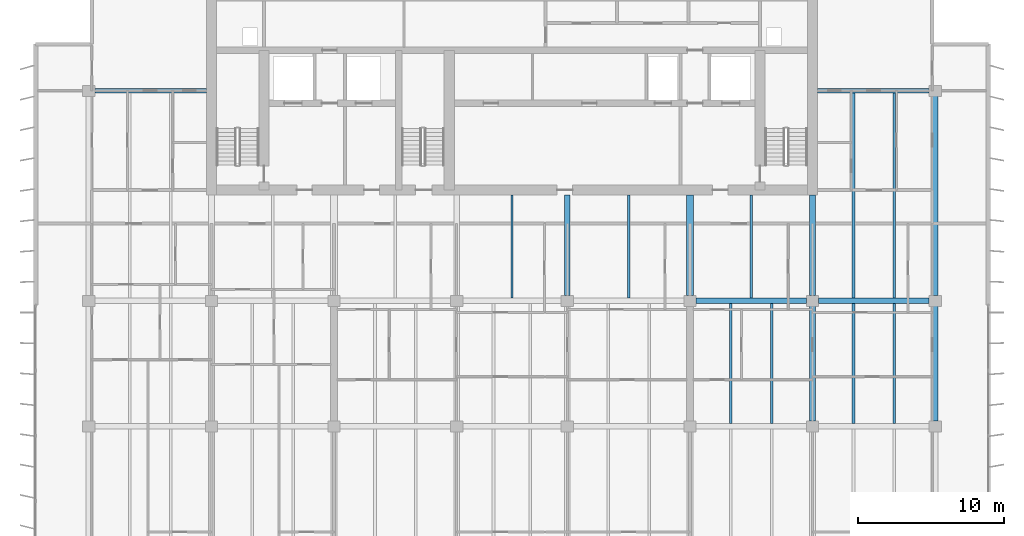
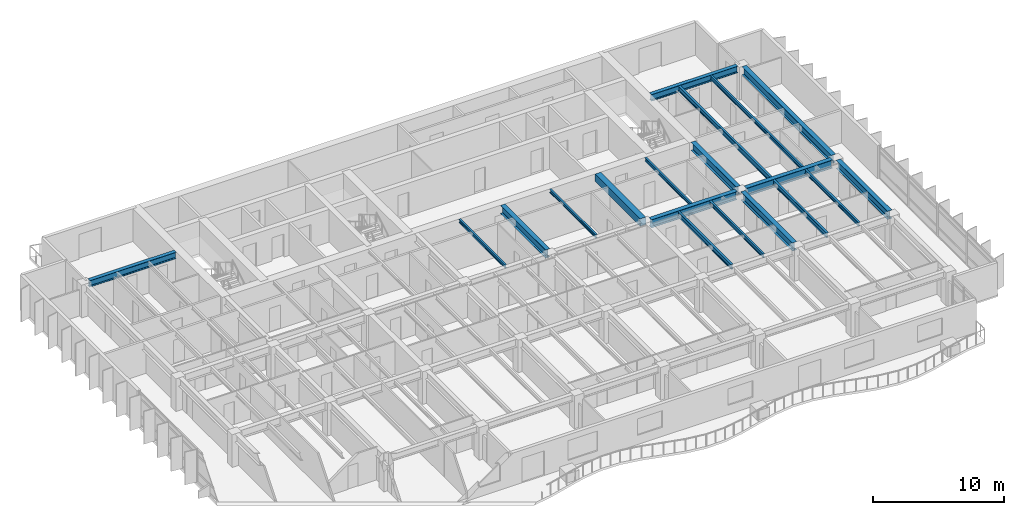
# One storey, part 5 of 17: 19 beams.
"""IFC4 building model written with IfcOpenShell, lengths in metres."""

from ifc_helpers import new_model, si_unit, direction, frame, origin, origin_2d, place, context, subcontext, project, spatial, rectangle, i_section, extrude, material, material_profile, profile_set, type_object, element, save


model = new_model("IFC4")

# Units and contexts
model_context = context("Model", 3, precision=1e-05, world=origin(), true_north=direction((0.0, 1.0)))
body_context = subcontext(model_context, "Body", "Model", "MODEL_VIEW")
ifc_project = project(units=[si_unit("LENGTHUNIT", "METRE"), si_unit("AREAUNIT", "SQUARE_METRE"), si_unit("VOLUMEUNIT", "CUBIC_METRE"), si_unit("PLANEANGLEUNIT", "RADIAN"), si_unit("MASSUNIT", "GRAM", prefix="KILO")], contexts=[model_context])

# Site, building, storey
site_placement = place(None, origin())
site = spatial("IfcSite", under=ifc_project, at=site_placement, CompositionType="ELEMENT")
building_placement = place(site_placement, origin())
building = spatial("IfcBuilding", under=site, at=building_placement, Name="Caelmar Bay Residences", CompositionType="ELEMENT")
storey_placement = place(building_placement, frame((0.0, 0.0, 201.60009765625)))
storey = spatial("IfcBuildingStorey", under=building, at=storey_placement, Name="L56", CompositionType="ELEMENT", Elevation=201.60009765625)

# Beams
ifc_material_1 = material(Name="Steel ASTM A992 Grade 50", Category="steel")
ifc_material_profile_1 = material_profile(ifc_material_1, i_section(OverallWidth=0.381103515625, OverallDepth=0.77197265625, WebThickness=0.0166015625, FlangeThickness=0.027099609375, FilletRadius=0.0166015625, at=origin_2d()), Name="W30X173")
ifc_profile_set_1 = profile_set([ifc_material_profile_1], Name="Steel ASTM A992 Grade 50")
beam_type_1 = type_object("IfcBeamType", Name="BM-GRD-W30X173", PredefinedType="BEAM", material=ifc_profile_set_1)
for number, where, z_axis, x_axis, name in (
    (1, (51.514892578125, 29.39990234375, 2.663818359375), (1.0, 0.0, 0.0), (0.0, 1.0, 0.0), "L56 East-West Girder Y=29.40 (51.1-59.5)"),
    (2, (59.9150390625, 29.39990234375, 2.663818359375), (1.0, 0.0, 0.0), (0.0, 1.0, 0.0), "L56 East-West Girder Y=29.40 (59.5-67.9)"),
):
    element("IfcBeam", number, at=place(storey_placement, frame(where, z_axis=z_axis, x_axis=x_axis)), inside=storey, type_object=beam_type_1, Name=name, PredefinedType="BEAM", context=body_context, shape_type="SweptSolid", body=[
        extrude(i_section(OverallWidth=0.381103515625, OverallDepth=0.77197265625, WebThickness=0.0166015625, FlangeThickness=0.027099609375, FilletRadius=0.0166015625, at=origin_2d()), origin(), (0.0, 0.0, 1.0), 7.570068359375),
    ])
for number, where, z_axis, x_axis, name in (
    (3, (42.699951171875, 29.764892578125, 2.663818359375), (0.0, 1.0, 0.0), (-1.0, 0.0, 0.0), "L56 Core Tie Girder X=42.70"),
    (4, (59.5, 29.764892578125, 2.663818359375), (0.0, 1.0, 0.0), (-1.0, 0.0, 0.0), "L56 Core Tie Girder X=59.50"),
):
    element("IfcBeam", number, at=place(storey_placement, frame(where, z_axis=z_axis, x_axis=x_axis)), inside=storey, type_object=beam_type_1, Name=name, PredefinedType="BEAM", context=body_context, shape_type="SweptSolid", body=[
        extrude(i_section(OverallWidth=0.381103515625, OverallDepth=0.77197265625, WebThickness=0.0166015625, FlangeThickness=0.027099609375, FilletRadius=0.0166015625, at=origin_2d()), origin(), (0.0, 0.0, 1.0), 6.885009765625),
    ])
for number, where, z_axis, x_axis, name in (
    (5, (59.5, 21.1650390625, 2.663818359375), (0.0, 1.0, 0.0), (-1.0, 0.0, 0.0), "L56 North-South Girder X=59.50 (20.8-29.4)"),
    (6, (67.89990234375, 21.1650390625, 2.663818359375), (0.0, 1.0, 0.0), (-1.0, 0.0, 0.0), "L56 North-South Girder X=67.90 (20.8-29.4)"),
):
    element("IfcBeam", number, at=place(storey_placement, frame(where, z_axis=z_axis, x_axis=x_axis)), inside=storey, type_object=beam_type_1, Name=name, PredefinedType="BEAM", context=body_context, shape_type="SweptSolid", body=[
        extrude(i_section(OverallWidth=0.381103515625, OverallDepth=0.77197265625, WebThickness=0.0166015625, FlangeThickness=0.027099609375, FilletRadius=0.0166015625, at=origin_2d()), origin(), (0.0, 0.0, 1.0), 7.869873046875),
    ])
beam_1_placement = place(storey_placement, frame((67.89990234375, 29.764892578125, 2.663818359375), z_axis=(0.0, 1.0, 0.0), x_axis=(-1.0, 0.0, 0.0)))
element("IfcBeam", 7, at=beam_1_placement, inside=storey, type_object=beam_type_1, Name="L56 North-South Girder X=67.90 (29.4-43.8)", PredefinedType="BEAM", context=body_context, shape_type="SweptSolid", body=[
    extrude(i_section(OverallWidth=0.381103515625, OverallDepth=0.77197265625, WebThickness=0.0166015625, FlangeThickness=0.027099609375, FilletRadius=0.0166015625, at=origin_2d()), origin(), (0.0, 0.0, 1.0), 13.670166015625),
])
ifc_material_profile_2 = material_profile(ifc_material_1, i_section(OverallWidth=0.1650390625, OverallDepth=0.31005859375, WebThickness=0.005859375, FlangeThickness=0.009765625, FilletRadius=0.007568359375, at=origin_2d()), Name="W12X26")
ifc_profile_set_2 = profile_set([ifc_material_profile_2], Name="Steel ASTM A992 Grade 50")
beam_type_2 = type_object("IfcBeamType", Name="BM-JST-W12X26", PredefinedType="JOIST", material=ifc_profile_set_2)
for number, where, z_axis, x_axis, name in (
    (8, (38.89990234375, 29.590576171875, 2.89501953125), (0.0, 1.0, 0.0), (-1.0, 0.0, 0.0), "L56 Core-Band Composite Joist 31"),
    (9, (46.89990234375, 29.590576171875, 2.89501953125), (0.0, 1.0, 0.0), (-1.0, 0.0, 0.0), "L56 Core-Band Composite Joist 32"),
    (10, (55.300048828125, 29.590576171875, 2.89501953125), (0.0, 1.0, 0.0), (-1.0, 0.0, 0.0), "L56 Core-Band Composite Joist 33"),
):
    element("IfcBeam", number, at=place(storey_placement, frame(where, z_axis=z_axis, x_axis=x_axis)), inside=storey, type_object=beam_type_2, Name=name, PredefinedType="JOIST", context=body_context, shape_type="SweptSolid", body=[
        extrude(i_section(OverallWidth=0.1650390625, OverallDepth=0.31005859375, WebThickness=0.005859375, FlangeThickness=0.009765625, FilletRadius=0.007568359375, at=origin_2d()), origin(), (0.0, 0.0, 1.0), 7.059326171875),
    ])
ifc_material_profile_3 = material_profile(ifc_material_1, i_section(OverallWidth=0.1708984375, OverallDepth=0.35595703125, WebThickness=0.007080078125, FlangeThickness=0.01171875, FilletRadius=0.007568359375, at=origin_2d()), Name="W14X34")
ifc_profile_set_3 = profile_set([ifc_material_profile_3], Name="Steel ASTM A992 Grade 50")
beam_type_3 = type_object("IfcBeamType", Name="BM-JST-W14X34", PredefinedType="JOIST", material=ifc_profile_set_3)
for number, where, z_axis, x_axis, name in (
    (11, (56.699951171875, 20.990478515625, 2.871826171875), (0.0, 1.0, 0.0), (-1.0, 0.0, 0.0), "L56 Composite Floor Joist 26"),
    (12, (65.10009765625, 20.990478515625, 2.871826171875), (0.0, 1.0, 0.0), (-1.0, 0.0, 0.0), "L56 Composite Floor Joist 28"),
):
    element("IfcBeam", number, at=place(storey_placement, frame(where, z_axis=z_axis, x_axis=x_axis)), inside=storey, type_object=beam_type_3, Name=name, PredefinedType="JOIST", context=body_context, shape_type="SweptSolid", body=[
        extrude(i_section(OverallWidth=0.1708984375, OverallDepth=0.35595703125, WebThickness=0.007080078125, FlangeThickness=0.01171875, FilletRadius=0.007568359375, at=origin_2d()), origin(), (0.0, 0.0, 1.0), 8.218994140625),
    ])
beam_2_placement = place(storey_placement, frame((65.10009765625, 29.590576171875, 2.871826171875), z_axis=(0.0, 1.0, 0.0), x_axis=(-1.0, 0.0, 0.0)))
element("IfcBeam", 13, at=beam_2_placement, inside=storey, type_object=beam_type_3, Name="L56 Composite Floor Joist 37", PredefinedType="JOIST", context=body_context, shape_type="SweptSolid", body=[
    extrude(i_section(OverallWidth=0.1708984375, OverallDepth=0.35595703125, WebThickness=0.007080078125, FlangeThickness=0.01171875, FilletRadius=0.007568359375, at=origin_2d()), origin(), (0.0, 0.0, 1.0), 14.046875),
])
ifc_material_profile_4 = material_profile(ifc_material_1, i_section(OverallWidth=0.19091796875, OverallDepth=0.45703125, WebThickness=0.009033203125, FlangeThickness=0.014404296875, FilletRadius=0.01025390625, at=origin_2d()), Name="W18X50")
ifc_profile_set_4 = profile_set([ifc_material_profile_4], Name="Steel ASTM A992 Grade 50")
beam_type_4 = type_object("IfcBeamType", Name="BM-JST-W18X50", PredefinedType="JOIST", material=ifc_profile_set_4)
for number, where, z_axis, x_axis, name in (
    (14, (53.89990234375, 20.990478515625, 2.8212890625), (0.0, 1.0, 0.0), (-1.0, 0.0, 0.0), "L56 Composite Floor Joist 25"),
    (15, (62.300048828125, 20.990478515625, 2.8212890625), (0.0, 1.0, 0.0), (-1.0, 0.0, 0.0), "L56 Composite Floor Joist 27"),
):
    element("IfcBeam", number, at=place(storey_placement, frame(where, z_axis=z_axis, x_axis=x_axis)), inside=storey, type_object=beam_type_4, Name=name, PredefinedType="JOIST", context=body_context, shape_type="SweptSolid", body=[
        extrude(i_section(OverallWidth=0.19091796875, OverallDepth=0.45703125, WebThickness=0.009033203125, FlangeThickness=0.014404296875, FilletRadius=0.01025390625, at=origin_2d()), origin(), (0.0, 0.0, 1.0), 8.218994140625),
    ])
beam_3_placement = place(storey_placement, frame((62.300048828125, 29.590576171875, 2.8212890625), z_axis=(0.0, 1.0, 0.0), x_axis=(-1.0, 0.0, 0.0)))
element("IfcBeam", 16, at=beam_3_placement, inside=storey, type_object=beam_type_4, Name="L56 Composite Floor Joist 36", PredefinedType="JOIST", context=body_context, shape_type="SweptSolid", body=[
    extrude(i_section(OverallWidth=0.19091796875, OverallDepth=0.45703125, WebThickness=0.009033203125, FlangeThickness=0.014404296875, FilletRadius=0.01025390625, at=origin_2d()), origin(), (0.0, 0.0, 1.0), 14.046875),
])
ifc_material_2 = material(Name="Concrete f'c 55 MPa (8,000 psi)", Category="concrete")
ifc_material_profile_5 = material_profile(ifc_material_2, rectangle(XDim=0.5, YDim=0.699951171875, at=origin_2d()), Name="RC-BM-500X700")
ifc_profile_set_5 = profile_set([ifc_material_profile_5], Name="Concrete f'c 55 MPa (8,000 psi)")
beam_type_5 = type_object("IfcBeamType", Name="BM-RC-500X700", PredefinedType="LINTEL", material=ifc_profile_set_5)
beam_4_placement = place(storey_placement, frame((51.10009765625, 29.764892578125, 2.699951171875), z_axis=(0.0, 1.0, 0.0), x_axis=(-1.0, 0.0, 0.0)))
element("IfcBeam", 17, at=beam_4_placement, inside=storey, type_object=beam_type_5, Name="L56 Shear-Wall Corridor Coupling Lintel E8", PredefinedType="LINTEL", context=body_context, shape_type="SweptSolid", body=[
    extrude(rectangle(XDim=0.5, YDim=0.699951171875, at=origin_2d()), origin(), (0.0, 0.0, 1.0), 6.885009765625),
])
ifc_material_profile_6 = material_profile(ifc_material_1, i_section(OverallWidth=0.324951171875, OverallDepth=0.616943359375, WebThickness=0.013916015625, FlangeThickness=0.021484375, FilletRadius=0.0126953125, at=origin_2d()), Name="W24X117")
ifc_profile_set_6 = profile_set([ifc_material_profile_6], Name="Steel ASTM A992 Grade 50")
beam_type_6 = type_object("IfcBeamType", Name="BM-SPN-W24X117", PredefinedType="SPANDREL", material=ifc_profile_set_6)
for number, where, z_axis, x_axis, name in (
    (18, (10.31494140625, 43.800048828125, 2.741455078125), (1.0, 0.0, 0.0), (0.0, 1.0, 0.0), "L56 North-West Wing Core Tie Girder"),
    (19, (59.85009765625, 43.800048828125, 2.741455078125), (1.0, 0.0, 0.0), (0.0, 1.0, 0.0), "L56 North-East Wing Core Tie Girder"),
):
    element("IfcBeam", number, at=place(storey_placement, frame(where, z_axis=z_axis, x_axis=x_axis)), inside=storey, type_object=beam_type_6, Name=name, PredefinedType="SPANDREL", context=body_context, shape_type="SweptSolid", body=[
        extrude(i_section(OverallWidth=0.324951171875, OverallDepth=0.616943359375, WebThickness=0.013916015625, FlangeThickness=0.021484375, FilletRadius=0.0126953125, at=origin_2d()), origin(), (0.0, 0.0, 1.0), 7.635009765625),
    ])

save(model, "model.ifc")
